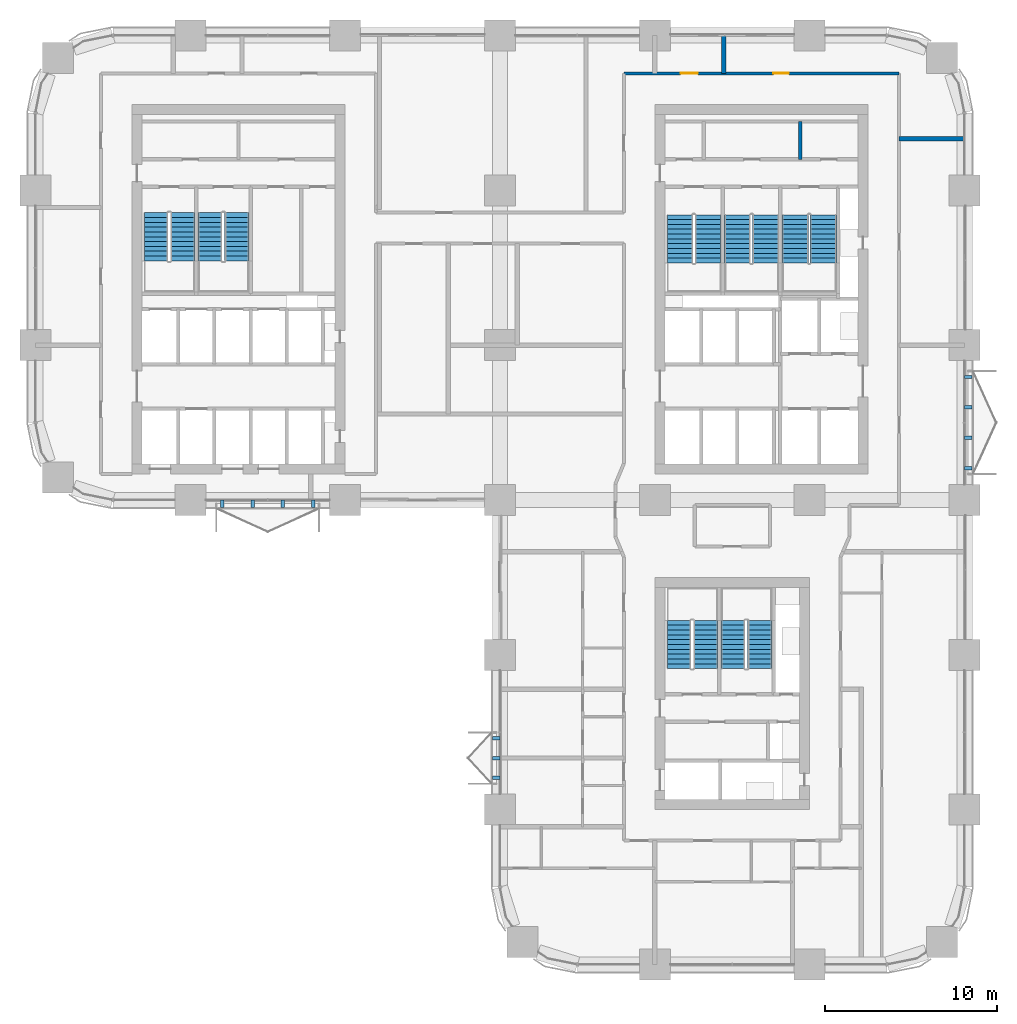
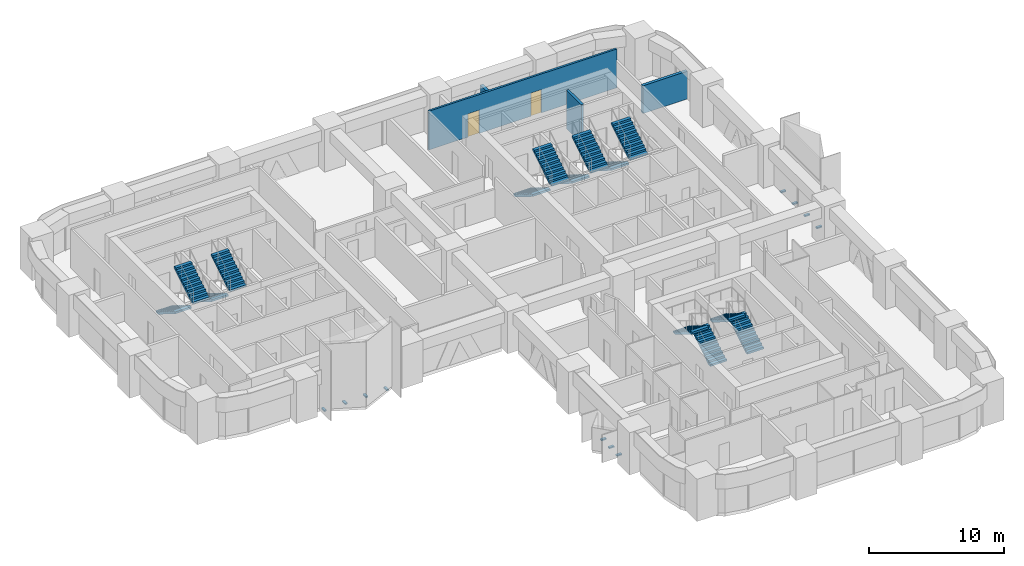
# One storey, part 18 of 24: 14 stair flights, 11 discrete accessories, 4 walls, 2 doors, 2 openings, 7 elements without a shape of their own.
"""IFC4 building model written with IfcOpenShell, lengths in metres."""

from ifc_helpers import new_model, si_unit, direction, frame, frame_2d, origin, origin_2d, place, context, subcontext, project, spatial, polyline, rectangle, outline, extrude, material, layer, layer_set, type_object, element, fill, aggregate, save


model = new_model("IFC4")

# Units and contexts
model_context = context("Model", 3, precision=1e-05, world=origin(), true_north=direction((0.0, 1.0)))
body_context = subcontext(model_context, "Body", "Model", "MODEL_VIEW")
ifc_project = project(units=[si_unit("LENGTHUNIT", "METRE"), si_unit("AREAUNIT", "SQUARE_METRE"), si_unit("VOLUMEUNIT", "CUBIC_METRE"), si_unit("PLANEANGLEUNIT", "RADIAN"), si_unit("MASSUNIT", "GRAM", prefix="KILO")], contexts=[model_context])

# Site, building, storey
site_placement = place(None, origin())
site = spatial("IfcSite", under=ifc_project, at=site_placement, CompositionType="ELEMENT")
building_placement = place(site_placement, origin())
building = spatial("IfcBuilding", under=site, at=building_placement, Name="Tessera Arch", CompositionType="ELEMENT")
storey_placement = place(building_placement, frame((0.0, 0.0, 81.60009765625)))
storey = spatial("IfcBuildingStorey", under=building, at=storey_placement, Name="L18", CompositionType="ELEMENT", Elevation=81.60009765625)

# Wall
ifc_material_1 = material(Name="Gypsum board on steel stud", Category="steel")
ifc_layer_1 = layer(ifc_material_1, 0.125)
ifc_layer_set_1 = layer_set([ifc_layer_1], Name="Core partition 125 EI 60")
wall_type_1 = type_object("IfcWallType", Name="Core partition 125 EI 60", PredefinedType="PARTITIONING", material=ifc_layer_set_1)
wall_1_placement = place(storey_placement, frame((44.43994140625, 46.800048828125, 0.0), z_axis=(0.0, 0.0, 1.0), x_axis=(0.0, 1.0, 0.0)))
element("IfcWall", 1, at=wall_1_placement, inside=storey, type_object=wall_type_1, Name="L18 C1 partition wall 13", PredefinedType="PARTITIONING", context=body_context, shape_type="SweptSolid", body=[
    extrude(rectangle(XDim=2.199951171875, YDim=0.199951171875, at=frame_2d((1.10009765625, 0.0))), origin(), (0.0, 0.0, 1.0), 3.5),
])

# Wall, openings, doors
ifc_material_2 = material(Name="Gypsum board on deep steel stud with mineral wool", Category="steel")
ifc_layer_2 = layer(ifc_material_2, 0.175048828125)
ifc_layer_set_2 = layer_set([ifc_layer_2], Name="Corridor wall 175 EI 60")
wall_type_2 = type_object("IfcWallType", Name="Corridor wall 175 EI 60", PredefinedType="PARTITIONING", material=ifc_layer_set_2)
wall_2_placement = place(storey_placement, frame((34.199951171875, 51.800048828125, 0.0), z_axis=(0.0, 0.0, 1.0), x_axis=(1.0, 0.0, 0.0)))
wall_2 = element("IfcWall", 2, at=wall_2_placement, inside=storey, type_object=wall_type_2, Name="L18 partition 10", PredefinedType="PARTITIONING", context=body_context, shape_type="SweptSolid", body=[
    extrude(rectangle(XDim=16.0, YDim=0.175048828125, at=frame_2d((8.0, 0.0))), origin(), (0.0, 0.0, 1.0), 3.5),
])
opening_1_placement = place(wall_2_placement, frame((8.68994140625, 0.0, 0.0)))
opening_1 = element("IfcOpeningElement", 3, at=opening_1_placement, cuts=wall_2, Name="Opening L18-D036", PredefinedType="OPENING", context=body_context, shape_type="SweptSolid", body=[
    extrude(rectangle(XDim=0.89990234375, YDim=2.10009765625, at=frame_2d((0.449951171875, 1.050048828125))), frame((0.0, 0.097412109375, 0.0), z_axis=(0.0, -1.0, 0.0), x_axis=(1.0, 0.0, 0.0)), (0.0, 0.0, 1.0), 0.195068359375),
])
opening_2_placement = place(wall_2_placement, frame((3.300048828125, 0.0, 0.0)))
opening_2 = element("IfcOpeningElement", 4, at=opening_2_placement, cuts=wall_2, Name="Opening L18-D039", PredefinedType="OPENING", context=body_context, shape_type="SweptSolid", body=[
    extrude(rectangle(XDim=1.0, YDim=2.10009765625, at=frame_2d((0.5, 1.050048828125))), frame((0.0, 0.097412109375, 0.0), z_axis=(0.0, -1.0, 0.0), x_axis=(1.0, 0.0, 0.0)), (0.0, 0.0, 1.0), 0.195068359375),
])
ifc_material_3 = material(Name="Fire-rated door leaf")
door_type_1 = type_object("IfcDoorType", Name="Entrance door FD30S 1000 x 2100", OperationType="SINGLE_SWING_LEFT", PredefinedType="DOOR", material=ifc_material_3)
door_1_placement = place(opening_2_placement, origin())
door_1 = element("IfcDoor", 5, at=door_1_placement, inside=storey, type_object=door_type_1, Name="L18 door D039 type D03", OperationType="SINGLE_SWING_RIGHT", OverallHeight=2.10009765625, OverallWidth=1.0, PredefinedType="DOOR", context=body_context, shape_type="SweptSolid", body=[
    extrude(rectangle(XDim=1.0, YDim=2.10009765625, at=frame_2d((0.5, 1.050048828125))), frame((0.0, 0.02490234375, 0.0), z_axis=(0.0, -1.0, 0.0), x_axis=(1.0, 0.0, 0.0)), (0.0, 0.0, 1.0), 0.050048828125),
])
fill(opening_2, door_1)
ifc_material_4 = material(Name="Timber door leaf", Category="wood")
door_type_2 = type_object("IfcDoorType", Name="Room door 900 x 2100", OperationType="SINGLE_SWING_LEFT", PredefinedType="DOOR", material=ifc_material_4)
door_2_placement = place(opening_1_placement, origin())
door_2 = element("IfcDoor", 6, at=door_2_placement, inside=storey, type_object=door_type_2, Name="L18 door D036 type D01", OperationType="SINGLE_SWING_LEFT", OverallHeight=2.10009765625, OverallWidth=0.89990234375, PredefinedType="DOOR", context=body_context, shape_type="SweptSolid", body=[
    extrude(rectangle(XDim=0.89990234375, YDim=2.10009765625, at=frame_2d((0.449951171875, 1.050048828125))), frame((0.0, 0.02490234375, 0.0), z_axis=(0.0, -1.0, 0.0), x_axis=(1.0, 0.0, 0.0)), (0.0, 0.0, 1.0), 0.050048828125),
])
fill(opening_1, door_2)

# Walls
ifc_material_5 = material(Name="Double gypsum board on twin steel stud with acoustic mineral wool", Category="steel")
ifc_layer_3 = layer(ifc_material_5, 0.25)
ifc_layer_set_3 = layer_set([ifc_layer_3], Name="Party wall 250 EI 60")
wall_type_3 = type_object("IfcWallType", Name="Party wall 250 EI 60", PredefinedType="PARTITIONING", material=ifc_layer_set_3)
wall_3_placement = place(storey_placement, frame((50.199951171875, 48.0, 0.0), z_axis=(0.0, 0.0, 1.0), x_axis=(1.0, 0.0, 0.0)))
element("IfcWall", 7, at=wall_3_placement, inside=storey, type_object=wall_type_3, Name="L18 partition 43", PredefinedType="PARTITIONING", context=body_context, shape_type="SweptSolid", body=[
    extrude(rectangle(XDim=3.800048828125, YDim=0.25, at=frame_2d((1.89990234375, 0.0))), origin(), (0.0, 0.0, 1.0), 2.5),
])
wall_4_placement = place(storey_placement, frame((40.0, 51.800048828125, 0.0), z_axis=(0.0, 0.0, 1.0), x_axis=(0.0, 1.0, 0.0)))
element("IfcWall", 8, at=wall_4_placement, inside=storey, type_object=wall_type_3, Name="L18 partition 54", PredefinedType="PARTITIONING", context=body_context, shape_type="SweptSolid", body=[
    extrude(rectangle(XDim=2.199951171875, YDim=0.25, at=frame_2d((1.10009765625, 0.0))), origin(), (0.0, 0.0, 1.0), 2.5),
])

# Stair, stair flights
ifc_material_6 = material(Name="Concrete C40/50", Category="concrete")
stair_type_1 = type_object("IfcStairType", Name="Dogleg stair 1400", PredefinedType="HALF_TURN_STAIR", material=ifc_material_6)
stair_1_placement = place(storey_placement, origin())
stair_1 = element("IfcStair", 9, at=stair_1_placement, inside=storey, type_object=stair_type_1, Name="L18 S2a", PredefinedType="HALF_TURN_STAIR")
ifc_material_7 = material(Name="Concrete C40/50", Category="concrete")
stair_flight_type_1 = type_object("IfcStairFlightType", Name="Stair flight 1400", PredefinedType="STRAIGHT", material=ifc_material_7)
stair_flight_1_placement = place(storey_placement, frame((7.0, 43.699951171875, 0.0), z_axis=(0.0, 0.0, 1.0), x_axis=(0.0, -1.0, 0.0)))
stair_flight_1 = element("IfcStairFlight", 10, at=stair_flight_1_placement, type_object=stair_flight_type_1, Name="S2a flight 1", NumberOfRisers=11, NumberOfTreads=10, PredefinedType="STRAIGHT", RiserHeight=0.172727273, TreadLength=0.28, context=body_context, shape_type="SweptSolid", body=[
    extrude(outline(polyline([(0.0, 0.0), (0.0, 0.172607421875), (0.280029296875, 0.172607421875), (0.280029296875, 0.345458984375), (0.56005859375, 0.345458984375), (0.56005859375, 0.51806640625), (0.840087890625, 0.51806640625), (0.840087890625, 0.69091796875), (1.1201171875, 0.69091796875), (1.1201171875, 0.863525390625), (1.39990234375, 0.863525390625), (1.39990234375, 1.036376953125), (1.679931640625, 1.036376953125), (1.679931640625, 1.208984375), (1.9599609375, 1.208984375), (1.9599609375, 1.3818359375), (2.239990234375, 1.3818359375), (2.239990234375, 1.554443359375), (2.52001953125, 1.554443359375), (2.52001953125, 1.727294921875), (2.800048828125, 1.727294921875), (2.800048828125, 1.89990234375), (2.800048828125, 1.551025390625), (0.285400390625, 0.0), (0.0, 0.0)])), frame((0.0, 0.699951171875, 0.0), z_axis=(0.0, -1.0, 0.0), x_axis=(1.0, 0.0, 0.0)), (0.0, 0.0, 1.0), 1.39990234375),
])
stair_flight_2_placement = place(storey_placement, frame((8.550048828125, 40.89990234375, 1.89990234375), z_axis=(0.0, 0.0, 1.0), x_axis=(0.0, 1.0, 0.0)))
stair_flight_2 = element("IfcStairFlight", 11, at=stair_flight_2_placement, type_object=stair_flight_type_1, Name="S2a flight 2", NumberOfRisers=11, NumberOfTreads=10, PredefinedType="STRAIGHT", RiserHeight=0.172727273, TreadLength=0.28, context=body_context, shape_type="SweptSolid", body=[
    extrude(outline(polyline([(0.0, 0.0), (0.0, 0.172607421875), (0.280029296875, 0.172607421875), (0.280029296875, 0.345458984375), (0.56005859375, 0.345458984375), (0.56005859375, 0.51806640625), (0.840087890625, 0.51806640625), (0.840087890625, 0.69091796875), (1.1201171875, 0.69091796875), (1.1201171875, 0.863525390625), (1.39990234375, 0.863525390625), (1.39990234375, 1.036376953125), (1.679931640625, 1.036376953125), (1.679931640625, 1.208984375), (1.9599609375, 1.208984375), (1.9599609375, 1.3818359375), (2.239990234375, 1.3818359375), (2.239990234375, 1.554443359375), (2.52001953125, 1.554443359375), (2.52001953125, 1.727294921875), (2.800048828125, 1.727294921875), (2.800048828125, 1.89990234375), (2.800048828125, 1.551025390625), (0.285400390625, 0.0), (0.0, 0.0)])), frame((0.0, 0.699951171875, 0.0), z_axis=(0.0, -1.0, 0.0), x_axis=(1.0, 0.0, 0.0)), (0.0, 0.0, 1.0), 1.39990234375),
])
aggregate(stair_1, [stair_flight_1, stair_flight_2])

stair_2_placement = place(storey_placement, origin())
stair_2 = element("IfcStair", 12, at=stair_2_placement, inside=storey, type_object=stair_type_1, Name="L18 S2b", PredefinedType="HALF_TURN_STAIR")
stair_flight_3_placement = place(storey_placement, frame((10.14990234375, 43.699951171875, 0.0), z_axis=(0.0, 0.0, 1.0), x_axis=(0.0, -1.0, 0.0)))
stair_flight_3 = element("IfcStairFlight", 13, at=stair_flight_3_placement, type_object=stair_flight_type_1, Name="S2b flight 1", NumberOfRisers=11, NumberOfTreads=10, PredefinedType="STRAIGHT", RiserHeight=0.172727273, TreadLength=0.28, context=body_context, shape_type="SweptSolid", body=[
    extrude(outline(polyline([(0.0, 0.0), (0.0, 0.172607421875), (0.280029296875, 0.172607421875), (0.280029296875, 0.345458984375), (0.56005859375, 0.345458984375), (0.56005859375, 0.51806640625), (0.840087890625, 0.51806640625), (0.840087890625, 0.69091796875), (1.1201171875, 0.69091796875), (1.1201171875, 0.863525390625), (1.39990234375, 0.863525390625), (1.39990234375, 1.036376953125), (1.679931640625, 1.036376953125), (1.679931640625, 1.208984375), (1.9599609375, 1.208984375), (1.9599609375, 1.3818359375), (2.239990234375, 1.3818359375), (2.239990234375, 1.554443359375), (2.52001953125, 1.554443359375), (2.52001953125, 1.727294921875), (2.800048828125, 1.727294921875), (2.800048828125, 1.89990234375), (2.800048828125, 1.551025390625), (0.285400390625, 0.0), (0.0, 0.0)])), frame((0.0, 0.699951171875, 0.0), z_axis=(0.0, -1.0, 0.0), x_axis=(1.0, 0.0, 0.0)), (0.0, 0.0, 1.0), 1.39990234375),
])
stair_flight_4_placement = place(storey_placement, frame((11.699951171875, 40.89990234375, 1.89990234375), z_axis=(0.0, 0.0, 1.0), x_axis=(0.0, 1.0, 0.0)))
stair_flight_4 = element("IfcStairFlight", 14, at=stair_flight_4_placement, type_object=stair_flight_type_1, Name="S2b flight 2", NumberOfRisers=11, NumberOfTreads=10, PredefinedType="STRAIGHT", RiserHeight=0.172727273, TreadLength=0.28, context=body_context, shape_type="SweptSolid", body=[
    extrude(outline(polyline([(0.0, 0.0), (0.0, 0.172607421875), (0.280029296875, 0.172607421875), (0.280029296875, 0.345458984375), (0.56005859375, 0.345458984375), (0.56005859375, 0.51806640625), (0.840087890625, 0.51806640625), (0.840087890625, 0.69091796875), (1.1201171875, 0.69091796875), (1.1201171875, 0.863525390625), (1.39990234375, 0.863525390625), (1.39990234375, 1.036376953125), (1.679931640625, 1.036376953125), (1.679931640625, 1.208984375), (1.9599609375, 1.208984375), (1.9599609375, 1.3818359375), (2.239990234375, 1.3818359375), (2.239990234375, 1.554443359375), (2.52001953125, 1.554443359375), (2.52001953125, 1.727294921875), (2.800048828125, 1.727294921875), (2.800048828125, 1.89990234375), (2.800048828125, 1.551025390625), (0.285400390625, 0.0), (0.0, 0.0)])), frame((0.0, 0.699951171875, 0.0), z_axis=(0.0, -1.0, 0.0), x_axis=(1.0, 0.0, 0.0)), (0.0, 0.0, 1.0), 1.39990234375),
])
aggregate(stair_2, [stair_flight_3, stair_flight_4])

stair_3_placement = place(storey_placement, origin())
stair_3 = element("IfcStair", 15, at=stair_3_placement, inside=storey, type_object=stair_type_1, Name="L18 S3a", PredefinedType="HALF_TURN_STAIR")
stair_flight_5_placement = place(storey_placement, frame((38.949951171875, 17.199951171875, 0.0), z_axis=(0.0, 0.0, 1.0), x_axis=(0.0, 1.0, 0.0)))
stair_flight_5 = element("IfcStairFlight", 16, at=stair_flight_5_placement, type_object=stair_flight_type_1, Name="S3a flight 1", NumberOfRisers=11, NumberOfTreads=10, PredefinedType="STRAIGHT", RiserHeight=0.172727273, TreadLength=0.28, context=body_context, shape_type="SweptSolid", body=[
    extrude(outline(polyline([(0.0, 0.0), (0.0, 0.172607421875), (0.280029296875, 0.172607421875), (0.280029296875, 0.345458984375), (0.56005859375, 0.345458984375), (0.56005859375, 0.51806640625), (0.840087890625, 0.51806640625), (0.840087890625, 0.69091796875), (1.1201171875, 0.69091796875), (1.1201171875, 0.863525390625), (1.39990234375, 0.863525390625), (1.39990234375, 1.036376953125), (1.679931640625, 1.036376953125), (1.679931640625, 1.208984375), (1.9599609375, 1.208984375), (1.9599609375, 1.3818359375), (2.239990234375, 1.3818359375), (2.239990234375, 1.554443359375), (2.52001953125, 1.554443359375), (2.52001953125, 1.727294921875), (2.800048828125, 1.727294921875), (2.800048828125, 1.89990234375), (2.800048828125, 1.551025390625), (0.285400390625, 0.0), (0.0, 0.0)])), frame((0.0, 0.699951171875, 0.0), z_axis=(0.0, -1.0, 0.0), x_axis=(1.0, 0.0, 0.0)), (0.0, 0.0, 1.0), 1.39990234375),
])
stair_flight_6_placement = place(storey_placement, frame((37.39990234375, 20.0, 1.89990234375), z_axis=(0.0, 0.0, 1.0), x_axis=(0.0, -1.0, 0.0)))
stair_flight_6 = element("IfcStairFlight", 17, at=stair_flight_6_placement, type_object=stair_flight_type_1, Name="S3a flight 2", NumberOfRisers=11, NumberOfTreads=10, PredefinedType="STRAIGHT", RiserHeight=0.172727273, TreadLength=0.28, context=body_context, shape_type="SweptSolid", body=[
    extrude(outline(polyline([(0.0, 0.0), (0.0, 0.172607421875), (0.280029296875, 0.172607421875), (0.280029296875, 0.345458984375), (0.56005859375, 0.345458984375), (0.56005859375, 0.51806640625), (0.840087890625, 0.51806640625), (0.840087890625, 0.69091796875), (1.1201171875, 0.69091796875), (1.1201171875, 0.863525390625), (1.39990234375, 0.863525390625), (1.39990234375, 1.036376953125), (1.679931640625, 1.036376953125), (1.679931640625, 1.208984375), (1.9599609375, 1.208984375), (1.9599609375, 1.3818359375), (2.239990234375, 1.3818359375), (2.239990234375, 1.554443359375), (2.52001953125, 1.554443359375), (2.52001953125, 1.727294921875), (2.800048828125, 1.727294921875), (2.800048828125, 1.89990234375), (2.800048828125, 1.551025390625), (0.285400390625, 0.0), (0.0, 0.0)])), frame((0.0, 0.699951171875, 0.0), z_axis=(0.0, -1.0, 0.0), x_axis=(1.0, 0.0, 0.0)), (0.0, 0.0, 1.0), 1.39990234375),
])
aggregate(stair_3, [stair_flight_5, stair_flight_6])

stair_4_placement = place(storey_placement, origin())
stair_4 = element("IfcStair", 18, at=stair_4_placement, inside=storey, type_object=stair_type_1, Name="L18 S3b", PredefinedType="HALF_TURN_STAIR")
stair_flight_7_placement = place(storey_placement, frame((42.10009765625, 17.199951171875, 0.0), z_axis=(0.0, 0.0, 1.0), x_axis=(0.0, 1.0, 0.0)))
stair_flight_7 = element("IfcStairFlight", 19, at=stair_flight_7_placement, type_object=stair_flight_type_1, Name="S3b flight 1", NumberOfRisers=11, NumberOfTreads=10, PredefinedType="STRAIGHT", RiserHeight=0.172727273, TreadLength=0.28, context=body_context, shape_type="SweptSolid", body=[
    extrude(outline(polyline([(0.0, 0.0), (0.0, 0.172607421875), (0.280029296875, 0.172607421875), (0.280029296875, 0.345458984375), (0.56005859375, 0.345458984375), (0.56005859375, 0.51806640625), (0.840087890625, 0.51806640625), (0.840087890625, 0.69091796875), (1.1201171875, 0.69091796875), (1.1201171875, 0.863525390625), (1.39990234375, 0.863525390625), (1.39990234375, 1.036376953125), (1.679931640625, 1.036376953125), (1.679931640625, 1.208984375), (1.9599609375, 1.208984375), (1.9599609375, 1.3818359375), (2.239990234375, 1.3818359375), (2.239990234375, 1.554443359375), (2.52001953125, 1.554443359375), (2.52001953125, 1.727294921875), (2.800048828125, 1.727294921875), (2.800048828125, 1.89990234375), (2.800048828125, 1.551025390625), (0.285400390625, 0.0), (0.0, 0.0)])), frame((0.0, 0.699951171875, 0.0), z_axis=(0.0, -1.0, 0.0), x_axis=(1.0, 0.0, 0.0)), (0.0, 0.0, 1.0), 1.39990234375),
])
stair_flight_8_placement = place(storey_placement, frame((40.550048828125, 20.0, 1.89990234375), z_axis=(0.0, 0.0, 1.0), x_axis=(0.0, -1.0, 0.0)))
stair_flight_8 = element("IfcStairFlight", 20, at=stair_flight_8_placement, type_object=stair_flight_type_1, Name="S3b flight 2", NumberOfRisers=11, NumberOfTreads=10, PredefinedType="STRAIGHT", RiserHeight=0.172727273, TreadLength=0.28, context=body_context, shape_type="SweptSolid", body=[
    extrude(outline(polyline([(0.0, 0.0), (0.0, 0.172607421875), (0.280029296875, 0.172607421875), (0.280029296875, 0.345458984375), (0.56005859375, 0.345458984375), (0.56005859375, 0.51806640625), (0.840087890625, 0.51806640625), (0.840087890625, 0.69091796875), (1.1201171875, 0.69091796875), (1.1201171875, 0.863525390625), (1.39990234375, 0.863525390625), (1.39990234375, 1.036376953125), (1.679931640625, 1.036376953125), (1.679931640625, 1.208984375), (1.9599609375, 1.208984375), (1.9599609375, 1.3818359375), (2.239990234375, 1.3818359375), (2.239990234375, 1.554443359375), (2.52001953125, 1.554443359375), (2.52001953125, 1.727294921875), (2.800048828125, 1.727294921875), (2.800048828125, 1.89990234375), (2.800048828125, 1.551025390625), (0.285400390625, 0.0), (0.0, 0.0)])), frame((0.0, 0.699951171875, 0.0), z_axis=(0.0, -1.0, 0.0), x_axis=(1.0, 0.0, 0.0)), (0.0, 0.0, 1.0), 1.39990234375),
])
aggregate(stair_4, [stair_flight_7, stair_flight_8])

ifc_material_8 = material(Name="Concrete C40/50", Category="concrete")
stair_type_2 = type_object("IfcStairType", Name="Dogleg stair 1520", PredefinedType="HALF_TURN_STAIR", material=ifc_material_8)
stair_5_placement = place(storey_placement, origin())
stair_5 = element("IfcStair", 21, at=stair_5_placement, inside=storey, type_object=stair_type_2, Name="L18 S1a", PredefinedType="HALF_TURN_STAIR")
ifc_material_9 = material(Name="Concrete C40/50", Category="concrete")
stair_flight_type_2 = type_object("IfcStairFlightType", Name="Stair flight 1520", PredefinedType="STRAIGHT", material=ifc_material_9)
stair_flight_9_placement = place(storey_placement, frame((37.4599609375, 43.580078125, 0.0), z_axis=(0.0, 0.0, 1.0), x_axis=(0.0, -1.0, 0.0)))
stair_flight_9 = element("IfcStairFlight", 22, at=stair_flight_9_placement, type_object=stair_flight_type_2, Name="S1a flight 1", NumberOfRisers=11, NumberOfTreads=10, PredefinedType="STRAIGHT", RiserHeight=0.172727273, TreadLength=0.28, context=body_context, shape_type="SweptSolid", body=[
    extrude(outline(polyline([(0.0, 0.0), (0.0, 0.172607421875), (0.280029296875, 0.172607421875), (0.280029296875, 0.345458984375), (0.56005859375, 0.345458984375), (0.56005859375, 0.51806640625), (0.840087890625, 0.51806640625), (0.840087890625, 0.69091796875), (1.1201171875, 0.69091796875), (1.1201171875, 0.863525390625), (1.39990234375, 0.863525390625), (1.39990234375, 1.036376953125), (1.679931640625, 1.036376953125), (1.679931640625, 1.208984375), (1.9599609375, 1.208984375), (1.9599609375, 1.3818359375), (2.239990234375, 1.3818359375), (2.239990234375, 1.554443359375), (2.52001953125, 1.554443359375), (2.52001953125, 1.727294921875), (2.800048828125, 1.727294921875), (2.800048828125, 1.89990234375), (2.800048828125, 1.551025390625), (0.285400390625, 0.0), (0.0, 0.0)])), frame((0.0, 0.760009765625, 0.0), z_axis=(0.0, -1.0, 0.0), x_axis=(1.0, 0.0, 0.0)), (0.0, 0.0, 1.0), 1.52001953125),
])
stair_flight_10_placement = place(storey_placement, frame((39.090087890625, 40.780029296875, 1.89990234375), z_axis=(0.0, 0.0, 1.0), x_axis=(0.0, 1.0, 0.0)))
stair_flight_10 = element("IfcStairFlight", 23, at=stair_flight_10_placement, type_object=stair_flight_type_2, Name="S1a flight 2", NumberOfRisers=11, NumberOfTreads=10, PredefinedType="STRAIGHT", RiserHeight=0.172727273, TreadLength=0.28, context=body_context, shape_type="SweptSolid", body=[
    extrude(outline(polyline([(0.0, 0.0), (0.0, 0.172607421875), (0.280029296875, 0.172607421875), (0.280029296875, 0.345458984375), (0.56005859375, 0.345458984375), (0.56005859375, 0.51806640625), (0.840087890625, 0.51806640625), (0.840087890625, 0.69091796875), (1.1201171875, 0.69091796875), (1.1201171875, 0.863525390625), (1.39990234375, 0.863525390625), (1.39990234375, 1.036376953125), (1.679931640625, 1.036376953125), (1.679931640625, 1.208984375), (1.9599609375, 1.208984375), (1.9599609375, 1.3818359375), (2.239990234375, 1.3818359375), (2.239990234375, 1.554443359375), (2.52001953125, 1.554443359375), (2.52001953125, 1.727294921875), (2.800048828125, 1.727294921875), (2.800048828125, 1.89990234375), (2.800048828125, 1.551025390625), (0.285400390625, 0.0), (0.0, 0.0)])), frame((0.0, 0.760009765625, 0.0), z_axis=(0.0, -1.0, 0.0), x_axis=(1.0, 0.0, 0.0)), (0.0, 0.0, 1.0), 1.52001953125),
])
aggregate(stair_5, [stair_flight_9, stair_flight_10])

stair_6_placement = place(storey_placement, origin())
stair_6 = element("IfcStair", 24, at=stair_6_placement, inside=storey, type_object=stair_type_2, Name="L18 S1b", PredefinedType="HALF_TURN_STAIR")
stair_flight_11_placement = place(storey_placement, frame((40.81005859375, 43.580078125, 0.0), z_axis=(0.0, 0.0, 1.0), x_axis=(0.0, -1.0, 0.0)))
stair_flight_11 = element("IfcStairFlight", 25, at=stair_flight_11_placement, type_object=stair_flight_type_2, Name="S1b flight 1", NumberOfRisers=11, NumberOfTreads=10, PredefinedType="STRAIGHT", RiserHeight=0.172727273, TreadLength=0.28, context=body_context, shape_type="SweptSolid", body=[
    extrude(outline(polyline([(0.0, 0.0), (0.0, 0.172607421875), (0.280029296875, 0.172607421875), (0.280029296875, 0.345458984375), (0.56005859375, 0.345458984375), (0.56005859375, 0.51806640625), (0.840087890625, 0.51806640625), (0.840087890625, 0.69091796875), (1.1201171875, 0.69091796875), (1.1201171875, 0.863525390625), (1.39990234375, 0.863525390625), (1.39990234375, 1.036376953125), (1.679931640625, 1.036376953125), (1.679931640625, 1.208984375), (1.9599609375, 1.208984375), (1.9599609375, 1.3818359375), (2.239990234375, 1.3818359375), (2.239990234375, 1.554443359375), (2.52001953125, 1.554443359375), (2.52001953125, 1.727294921875), (2.800048828125, 1.727294921875), (2.800048828125, 1.89990234375), (2.800048828125, 1.551025390625), (0.285400390625, 0.0), (0.0, 0.0)])), frame((0.0, 0.760009765625, 0.0), z_axis=(0.0, -1.0, 0.0), x_axis=(1.0, 0.0, 0.0)), (0.0, 0.0, 1.0), 1.52001953125),
])
stair_flight_12_placement = place(storey_placement, frame((42.43994140625, 40.780029296875, 1.89990234375), z_axis=(0.0, 0.0, 1.0), x_axis=(0.0, 1.0, 0.0)))
stair_flight_12 = element("IfcStairFlight", 26, at=stair_flight_12_placement, type_object=stair_flight_type_2, Name="S1b flight 2", NumberOfRisers=11, NumberOfTreads=10, PredefinedType="STRAIGHT", RiserHeight=0.172727273, TreadLength=0.28, context=body_context, shape_type="SweptSolid", body=[
    extrude(outline(polyline([(0.0, 0.0), (0.0, 0.172607421875), (0.280029296875, 0.172607421875), (0.280029296875, 0.345458984375), (0.56005859375, 0.345458984375), (0.56005859375, 0.51806640625), (0.840087890625, 0.51806640625), (0.840087890625, 0.69091796875), (1.1201171875, 0.69091796875), (1.1201171875, 0.863525390625), (1.39990234375, 0.863525390625), (1.39990234375, 1.036376953125), (1.679931640625, 1.036376953125), (1.679931640625, 1.208984375), (1.9599609375, 1.208984375), (1.9599609375, 1.3818359375), (2.239990234375, 1.3818359375), (2.239990234375, 1.554443359375), (2.52001953125, 1.554443359375), (2.52001953125, 1.727294921875), (2.800048828125, 1.727294921875), (2.800048828125, 1.89990234375), (2.800048828125, 1.551025390625), (0.285400390625, 0.0), (0.0, 0.0)])), frame((0.0, 0.760009765625, 0.0), z_axis=(0.0, -1.0, 0.0), x_axis=(1.0, 0.0, 0.0)), (0.0, 0.0, 1.0), 1.52001953125),
])
aggregate(stair_6, [stair_flight_11, stair_flight_12])

stair_7_placement = place(storey_placement, origin())
stair_7 = element("IfcStair", 27, at=stair_7_placement, inside=storey, type_object=stair_type_2, Name="L18 S1c", PredefinedType="HALF_TURN_STAIR")
stair_flight_13_placement = place(storey_placement, frame((44.159912109375, 43.580078125, 0.0), z_axis=(0.0, 0.0, 1.0), x_axis=(0.0, -1.0, 0.0)))
stair_flight_13 = element("IfcStairFlight", 28, at=stair_flight_13_placement, type_object=stair_flight_type_2, Name="S1c flight 1", NumberOfRisers=11, NumberOfTreads=10, PredefinedType="STRAIGHT", RiserHeight=0.172727273, TreadLength=0.28, context=body_context, shape_type="SweptSolid", body=[
    extrude(outline(polyline([(0.0, 0.0), (0.0, 0.172607421875), (0.280029296875, 0.172607421875), (0.280029296875, 0.345458984375), (0.56005859375, 0.345458984375), (0.56005859375, 0.51806640625), (0.840087890625, 0.51806640625), (0.840087890625, 0.69091796875), (1.1201171875, 0.69091796875), (1.1201171875, 0.863525390625), (1.39990234375, 0.863525390625), (1.39990234375, 1.036376953125), (1.679931640625, 1.036376953125), (1.679931640625, 1.208984375), (1.9599609375, 1.208984375), (1.9599609375, 1.3818359375), (2.239990234375, 1.3818359375), (2.239990234375, 1.554443359375), (2.52001953125, 1.554443359375), (2.52001953125, 1.727294921875), (2.800048828125, 1.727294921875), (2.800048828125, 1.89990234375), (2.800048828125, 1.551025390625), (0.285400390625, 0.0), (0.0, 0.0)])), frame((0.0, 0.760009765625, 0.0), z_axis=(0.0, -1.0, 0.0), x_axis=(1.0, 0.0, 0.0)), (0.0, 0.0, 1.0), 1.52001953125),
])
stair_flight_14_placement = place(storey_placement, frame((45.7900390625, 40.780029296875, 1.89990234375), z_axis=(0.0, 0.0, 1.0), x_axis=(0.0, 1.0, 0.0)))
stair_flight_14 = element("IfcStairFlight", 29, at=stair_flight_14_placement, type_object=stair_flight_type_2, Name="S1c flight 2", NumberOfRisers=11, NumberOfTreads=10, PredefinedType="STRAIGHT", RiserHeight=0.172727273, TreadLength=0.28, context=body_context, shape_type="SweptSolid", body=[
    extrude(outline(polyline([(0.0, 0.0), (0.0, 0.172607421875), (0.280029296875, 0.172607421875), (0.280029296875, 0.345458984375), (0.56005859375, 0.345458984375), (0.56005859375, 0.51806640625), (0.840087890625, 0.51806640625), (0.840087890625, 0.69091796875), (1.1201171875, 0.69091796875), (1.1201171875, 0.863525390625), (1.39990234375, 0.863525390625), (1.39990234375, 1.036376953125), (1.679931640625, 1.036376953125), (1.679931640625, 1.208984375), (1.9599609375, 1.208984375), (1.9599609375, 1.3818359375), (2.239990234375, 1.3818359375), (2.239990234375, 1.554443359375), (2.52001953125, 1.554443359375), (2.52001953125, 1.727294921875), (2.800048828125, 1.727294921875), (2.800048828125, 1.89990234375), (2.800048828125, 1.551025390625), (0.285400390625, 0.0), (0.0, 0.0)])), frame((0.0, 0.760009765625, 0.0), z_axis=(0.0, -1.0, 0.0), x_axis=(1.0, 0.0, 0.0)), (0.0, 0.0, 1.0), 1.52001953125),
])
aggregate(stair_7, [stair_flight_13, stair_flight_14])

# Discrete accessories
for number, where, z_axis, x_axis, name in (
    (30, (10.85009765625, 26.780029296875, -0.1201171875), (0.0, 0.0, 1.0), (0.0, -1.0, 0.0), "Window box bracket"),
    (31, (12.61669921875, 26.780029296875, -0.1201171875), (0.0, 0.0, 1.0), (0.0, -1.0, 0.0), "Window box bracket"),
    (32, (14.38330078125, 26.780029296875, -0.1201171875), (0.0, 0.0, 1.0), (0.0, -1.0, 0.0), "Window box bracket"),
    (33, (16.14990234375, 26.780029296875, -0.1201171875), (0.0, 0.0, 1.0), (0.0, -1.0, 0.0), "Window box bracket"),
    (34, (26.780029296875, 13.14990234375, -0.1201171875), (0.0, 0.0, 1.0), (-1.0, 0.0, 0.0), "Window box bracket"),
    (35, (26.780029296875, 12.0, -0.1201171875), (0.0, 0.0, 1.0), (-1.0, 0.0, 0.0), "Window box bracket"),
    (36, (26.780029296875, 10.85009765625, -0.1201171875), (0.0, 0.0, 1.0), (-1.0, 0.0, 0.0), "Window box bracket"),
    (37, (54.219970703125, 28.85009765625, -0.1201171875), (0.0, 0.0, 1.0), (1.0, 0.0, 0.0), "Window box bracket"),
    (38, (54.219970703125, 30.61669921875, -0.1201171875), (0.0, 0.0, 1.0), (1.0, 0.0, 0.0), "Window box bracket"),
    (39, (54.219970703125, 32.38330078125, -0.1201171875), (0.0, 0.0, 1.0), (1.0, 0.0, 0.0), "Window box bracket"),
    (40, (54.219970703125, 34.14990234375, -0.1201171875), (0.0, 0.0, 1.0), (1.0, 0.0, 0.0), "Window box bracket"),
):
    element("IfcDiscreteAccessory", number, at=place(storey_placement, frame(where, z_axis=z_axis, x_axis=x_axis)), inside=storey, Name=name, PredefinedType="BRACKET", context=body_context, shape_type="SweptSolid", body=[
        extrude(rectangle(XDim=0.43994140625, YDim=0.199951171875, at=origin_2d()), origin(), (0.0, 0.0, 1.0), 0.1201171875),
    ])

save(model, "model.ifc")
